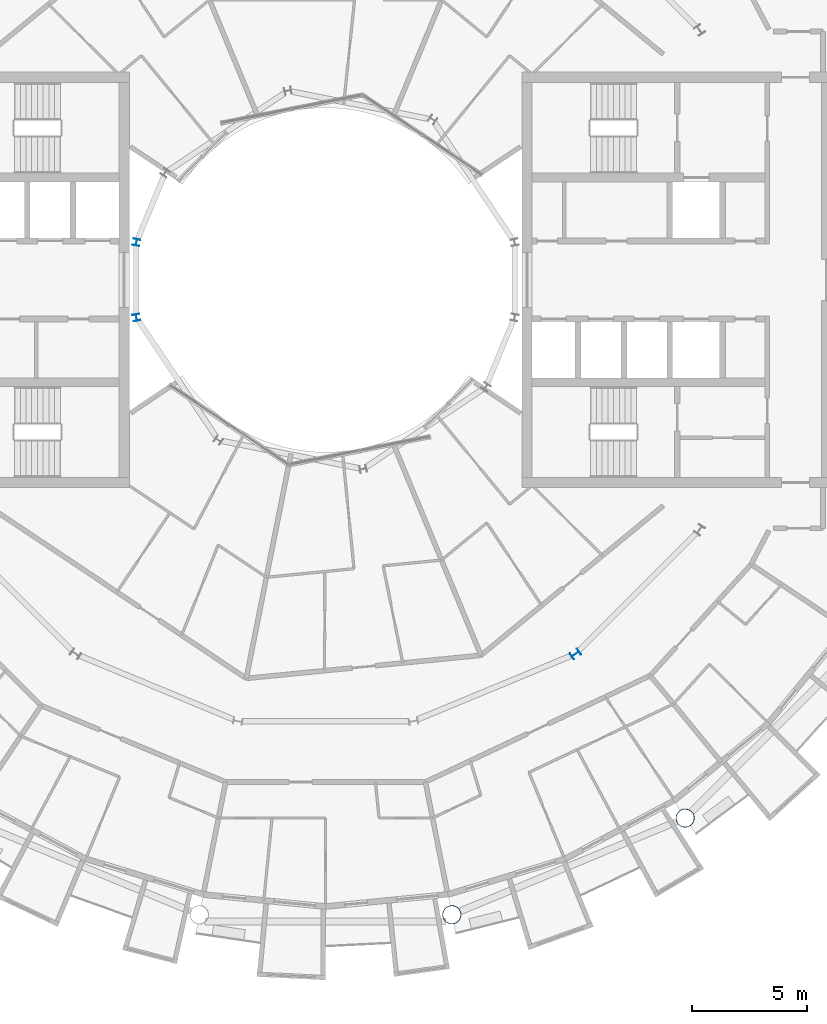
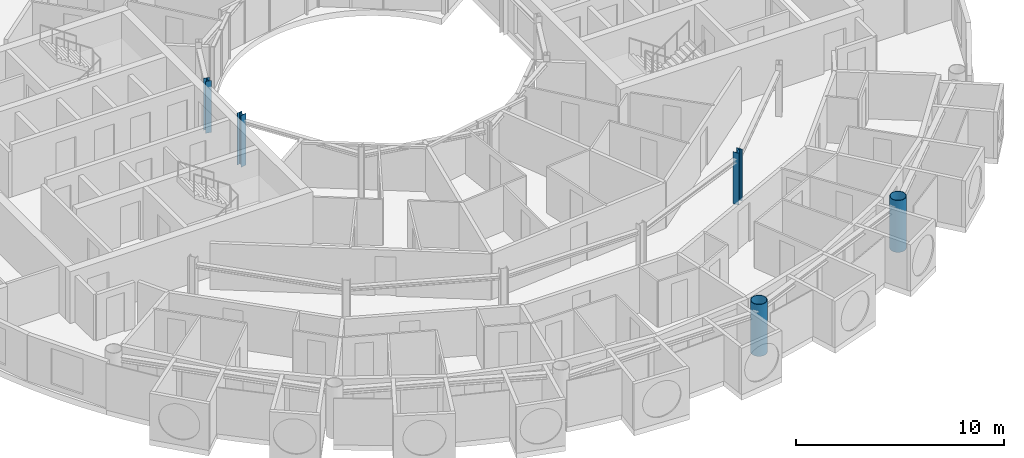
# One storey, part 2 of 29: 5 columns.
"""IFC4 building model written with IfcOpenShell, lengths in metres."""

from ifc_helpers import new_model, si_unit, direction, frame, origin, origin_2d, place, context, subcontext, project, spatial, hollow_circle, i_section, extrude, material, material_profile, profile_set, type_object, element, save


model = new_model("IFC4")

# Units and contexts
model_context = context("Model", 3, precision=1e-05, world=origin(), true_north=direction((0.0, 1.0)))
body_context = subcontext(model_context, "Body", "Model", "MODEL_VIEW")
ifc_project = project(units=[si_unit("LENGTHUNIT", "METRE"), si_unit("AREAUNIT", "SQUARE_METRE"), si_unit("VOLUMEUNIT", "CUBIC_METRE"), si_unit("PLANEANGLEUNIT", "RADIAN"), si_unit("MASSUNIT", "GRAM", prefix="KILO")], contexts=[model_context])

# Site, building, storey
site_placement = place(None, origin())
site = spatial("IfcSite", under=ifc_project, at=site_placement, CompositionType="ELEMENT")
building_placement = place(site_placement, origin())
building = spatial("IfcBuilding", under=site, at=building_placement, Name="Maasbend Ring Residences", CompositionType="ELEMENT")
storey_placement = place(building_placement, frame((0.0, 0.0, 215.75)))
storey = spatial("IfcBuildingStorey", under=building, at=storey_placement, Name="L62", CompositionType="ELEMENT", Elevation=215.75)

# Columns
ifc_material_1 = material(Name="Composite concrete-filled steel tube S460NH / C80/95", Category="concrete")
ifc_material_profile_1 = material_profile(ifc_material_1, hollow_circle(Radius=0.406494140625, WallThickness=0.030029296875, at=origin_2d()), Name="Composite tube column CHS 813x30")
ifc_profile_set_1 = profile_set([ifc_material_profile_1], Name="Composite concrete-filled steel tube S460NH / C80/95")
column_type_1 = type_object("IfcColumnType", Name="Composite tube column CHS 813x30", PredefinedType="COLUMN", material=ifc_profile_set_1)
for number, where, z_axis, x_axis, name in (
    (1, (5.50146484375, -27.658203125, 0.0), (0.0, 0.0, 1.0), (1.0, 0.0, 0.0), "Outer column R13"),
    (2, (15.6669921875, -23.447509765625, 0.0), (0.0, 0.0, 1.0), (1.0, 0.0, 0.0), "Outer column R14"),
):
    element("IfcColumn", number, at=place(storey_placement, frame(where, z_axis=z_axis, x_axis=x_axis)), inside=storey, type_object=column_type_1, Name=name, PredefinedType="COLUMN", context=body_context, shape_type="SweptSolid", body=[
        extrude(hollow_circle(Radius=0.406494140625, WallThickness=0.030029296875, at=origin_2d()), origin(), (0.0, 0.0, 1.0), 3.050048828125),
    ])
ifc_material_2 = material(Name="Steel S355J2", Category="steel")
ifc_material_profile_2 = material_profile(ifc_material_2, i_section(OverallWidth=0.300048828125, OverallDepth=0.2900390625, WebThickness=0.008544921875, FlangeThickness=0.013916015625, FilletRadius=0.027099609375, at=origin_2d()), Name="HEA 300")
ifc_profile_set_2 = profile_set([ifc_material_profile_2], Name="Steel S355J2")
column_type_2 = type_object("IfcColumnType", Name="Steel column HEA 300", PredefinedType="COLUMN", material=ifc_profile_set_2)
for number, where, z_axis, x_axis, name in (
    (3, (-8.238525390625, 1.638916015625, 0.0), (0.0, 0.0, 1.0), (-0.980785280403, 0.195090322016, 0.0), "Well ring column R8"),
    (4, (-8.238525390625, -1.638916015625, 0.0), (0.0, 0.0, 1.0), (-0.980785280403, -0.195090322016, 0.0), "Well ring column R9"),
):
    element("IfcColumn", number, at=place(storey_placement, frame(where, z_axis=z_axis, x_axis=x_axis)), inside=storey, type_object=column_type_2, Name=name, PredefinedType="COLUMN", context=body_context, shape_type="SweptSolid", body=[
        extrude(i_section(OverallWidth=0.300048828125, OverallDepth=0.2900390625, WebThickness=0.008544921875, FlangeThickness=0.013916015625, FilletRadius=0.027099609375, at=origin_2d()), origin(), (0.0, 0.0, 1.0), 3.050048828125),
    ])
ifc_material_3 = material(Name="Steel S355J2", Category="steel")
ifc_material_profile_3 = material_profile(ifc_material_3, i_section(OverallWidth=0.300048828125, OverallDepth=0.39990234375, WebThickness=0.013427734375, FlangeThickness=0.02392578125, FilletRadius=0.027099609375, at=origin_2d()), Name="HEB 400")
ifc_profile_set_3 = profile_set([ifc_material_profile_3], Name="Steel S355J2")
column_type_3 = type_object("IfcColumnType", Name="Steel column HEB 400", PredefinedType="COLUMN", material=ifc_profile_set_3)
column_placement = place(storey_placement, frame((10.88916015625, -16.296875, 0.0), z_axis=(0.0, 0.0, 1.0), x_axis=(0.55557023302, -0.831469612303, 0.0)))
element("IfcColumn", 5, at=column_placement, inside=storey, type_object=column_type_3, Name="Corridor ring column R14", PredefinedType="COLUMN", context=body_context, shape_type="SweptSolid", body=[
    extrude(i_section(OverallWidth=0.300048828125, OverallDepth=0.39990234375, WebThickness=0.013427734375, FlangeThickness=0.02392578125, FilletRadius=0.027099609375, at=origin_2d()), origin(), (0.0, 0.0, 1.0), 3.050048828125),
])

save(model, "model.ifc")
